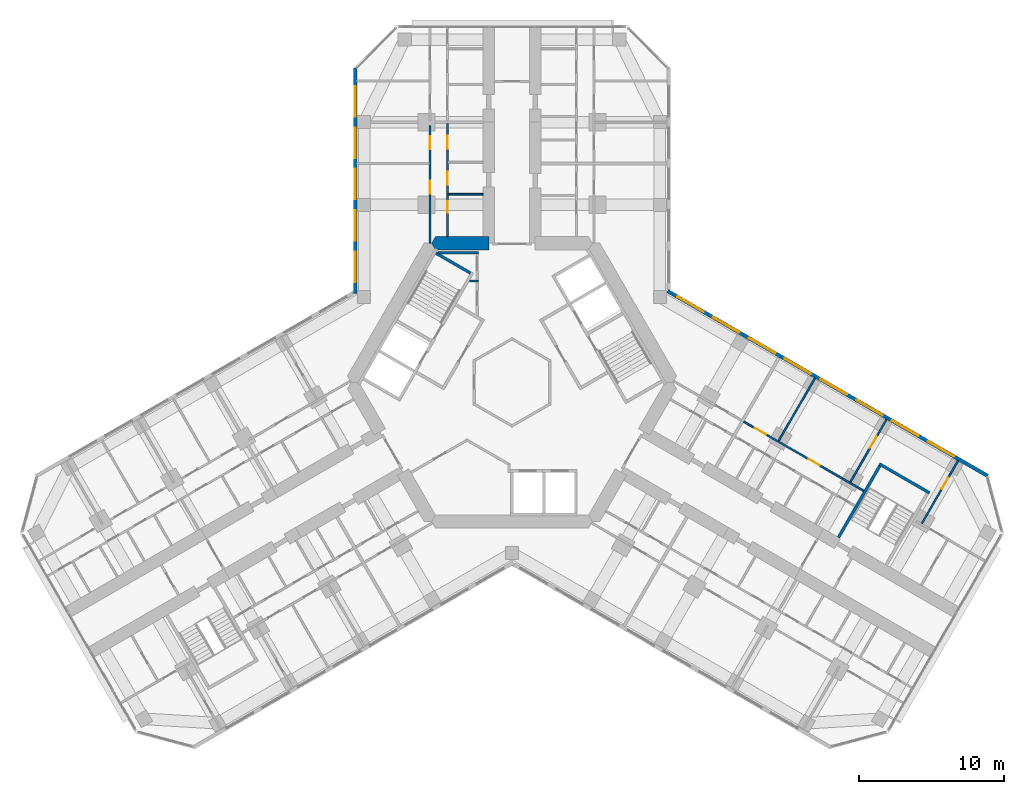
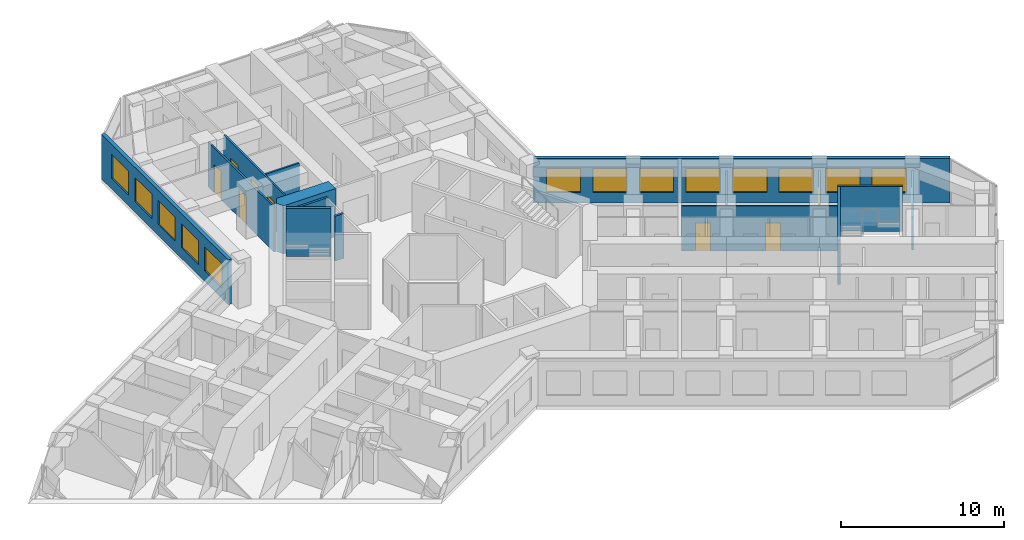
# One storey, part 16 of 19: 15 walls, 13 windows, 9 doors, 22 openings.
"""IFC4 building model written with IfcOpenShell, lengths in metres."""

from ifc_helpers import new_model, si_unit, direction, frame, frame_2d, origin, place, context, subcontext, project, spatial, polyline, rectangle, outline, extrude, material, layer, layer_set, type_object, element, fill, save


model = new_model("IFC4")

# Units and contexts
model_context = context("Model", 3, precision=1e-05, world=origin(), true_north=direction((0.0, 1.0)))
body_context = subcontext(model_context, "Body", "Model", "MODEL_VIEW")
ifc_project = project(units=[si_unit("LENGTHUNIT", "METRE"), si_unit("AREAUNIT", "SQUARE_METRE"), si_unit("VOLUMEUNIT", "CUBIC_METRE"), si_unit("PLANEANGLEUNIT", "RADIAN"), si_unit("MASSUNIT", "GRAM", prefix="KILO")], contexts=[model_context])

# Site, building, storey
site_placement = place(None, origin())
site = spatial("IfcSite", under=ifc_project, at=site_placement, CompositionType="ELEMENT")
building_placement = place(site_placement, origin())
building = spatial("IfcBuilding", under=site, at=building_placement, Name="Kosmar Iwan School Tower", CompositionType="ELEMENT")
storey_placement = place(building_placement, frame((0.0, 0.0, 141.800048828125)))
storey = spatial("IfcBuildingStorey", under=building, at=storey_placement, Name="L35", CompositionType="ELEMENT", Elevation=141.800048828125)

# Walls
ifc_material_1 = material(Name="Gypsum board on steel studs, fire-rated", Category="steel")
ifc_layer_1 = layer(ifc_material_1, 0.14990234375)
ifc_layer_set_1 = layer_set([ifc_layer_1], Name="Core room partition 150")
wall_type_1 = type_object("IfcWallType", Name="Core room partition 150", PredefinedType="PARTITIONING", material=ifc_layer_set_1)
wall_1_placement = place(storey_placement, frame((-2.324951171875, 6.985107421875, 0.0), z_axis=(0.0, 0.0, 1.0), x_axis=(-1.0, 0.0, 0.0)))
element("IfcWall", 1, at=wall_1_placement, inside=storey, type_object=wall_type_1, Name="Core room partition L35-CW2", PredefinedType="PARTITIONING", context=body_context, shape_type="SweptSolid", body=[
    extrude(rectangle(XDim=0.623779296875, YDim=0.14990234375, at=frame_2d((0.31201171875, 0.0))), origin(), (0.0, 0.0, 1.0), 3.349853515625),
])
wall_2_placement = place(storey_placement, frame((-5.089599609375, 8.93994140625, 0.0), z_axis=(0.0, 0.0, 1.0), x_axis=(1.0, 0.0, 0.0)))
element("IfcWall", 2, at=wall_2_placement, inside=storey, type_object=wall_type_1, Name="Core room partition L35-CW3", PredefinedType="PARTITIONING", context=body_context, shape_type="SweptSolid", body=[
    extrude(rectangle(XDim=2.7646484375, YDim=0.14990234375, at=frame_2d((1.38232421875, 0.0))), origin(), (0.0, 0.0, 1.0), 3.349853515625),
])
ifc_material_2 = material(Name="Concrete C50/60", Category="concrete")
ifc_layer_2 = layer(ifc_material_2, 0.89990234375)
ifc_layer_set_2 = layer_set([ifc_layer_2], Name="Core wall 900")
wall_type_2 = type_object("IfcWallType", Name="Core wall 900", PredefinedType="SHEAR", material=ifc_layer_set_2)
wall_3_placement = place(storey_placement, origin())
element("IfcWall", 3, at=wall_3_placement, inside=storey, type_object=wall_type_2, Name="Core wall F090b", PredefinedType="SHEAR", context=body_context, shape_type="SweptSolid", body=[
    extrude(outline(polyline([(-5.28271484375, 9.14990234375), (-1.60009765625, 9.14990234375), (-1.60009765625, 10.050048828125), (-5.28271484375, 10.050048828125), (-5.54248046875, 9.60009765625), (-5.28271484375, 9.14990234375)])), origin(), (0.0, 0.0, 1.0), 3.599853515625),
])

# Wall, openings, doors
ifc_material_3 = material(Name="Gypsum board on steel studs", Category="steel")
ifc_layer_3 = layer(ifc_material_3, 0.1201171875)
ifc_layer_set_3 = layer_set([ifc_layer_3], Name="Dwelling partition 120")
wall_type_3 = type_object("IfcWallType", Name="Dwelling partition 120", PredefinedType="PARTITIONING", material=ifc_layer_set_3)
wall_4_placement = place(storey_placement, frame((-4.449951171875, 10.050048828125, 0.0), z_axis=(0.0, 0.0, 1.0), x_axis=(0.0, 1.0, 0.0)))
wall_4 = element("IfcWall", 4, at=wall_4_placement, inside=storey, type_object=wall_type_3, Name="Partition L35-AL1-W1", PredefinedType="PARTITIONING", context=body_context, shape_type="SweptSolid", body=[
    extrude(rectangle(XDim=7.800048828125, YDim=0.1201171875, at=frame_2d((3.89990234375, 0.0))), origin(), (0.0, 0.0, 1.0), 3.349853515625),
])
opening_1_placement = place(wall_4_placement, frame((1.639892578125, 0.0, 0.0)))
opening_1 = element("IfcOpeningElement", 5, at=opening_1_placement, cuts=wall_4, Name="Opening D3", PredefinedType="OPENING", context=body_context, shape_type="SweptSolid", body=[
    extrude(rectangle(XDim=0.800048828125, YDim=2.10009765625, at=frame_2d((0.39990234375, 1.050048828125))), frame((0.0, 0.072021484375, 0.0), z_axis=(0.0, -1.0, 0.0), x_axis=(1.0, 0.0, 0.0)), (0.0, 0.0, 1.0), 0.14404296875),
])
opening_2_placement = place(wall_4_placement, frame((3.580078125, 0.0, 0.0)))
opening_2 = element("IfcOpeningElement", 6, at=opening_2_placement, cuts=wall_4, Name="Opening D2", PredefinedType="OPENING", context=body_context, shape_type="SweptSolid", body=[
    extrude(rectangle(XDim=0.89990234375, YDim=2.10009765625, at=frame_2d((0.449951171875, 1.050048828125))), frame((0.0, 0.072021484375, 0.0), z_axis=(0.0, -1.0, 0.0), x_axis=(1.0, 0.0, 0.0)), (0.0, 0.0, 1.0), 0.14404296875),
])
opening_3_placement = place(wall_4_placement, frame((6.06494140625, 0.0, 0.0)))
opening_3 = element("IfcOpeningElement", 7, at=opening_3_placement, cuts=wall_4, Name="Opening D2", PredefinedType="OPENING", context=body_context, shape_type="SweptSolid", body=[
    extrude(rectangle(XDim=0.89990234375, YDim=2.10009765625, at=frame_2d((0.449951171875, 1.050048828125))), frame((0.0, 0.072021484375, 0.0), z_axis=(0.0, -1.0, 0.0), x_axis=(1.0, 0.0, 0.0)), (0.0, 0.0, 1.0), 0.14404296875),
])
ifc_material_4 = material(Name="Timber door in timber frame", Category="wood")
door_type_1 = type_object("IfcDoorType", Name="Internal door 900x2100", OperationType="SINGLE_SWING_LEFT", PredefinedType="DOOR", material=ifc_material_4)
door_1_placement = place(opening_2_placement, origin())
door_1 = element("IfcDoor", 8, at=door_1_placement, inside=storey, type_object=door_type_1, Name="Entrance hall door L35-AL1-S2", OperationType="SINGLE_SWING_RIGHT", OverallHeight=2.10009765625, OverallWidth=0.89990234375, PredefinedType="DOOR", context=body_context, shape_type="SweptSolid", body=[
    extrude(rectangle(XDim=0.89990234375, YDim=2.10009765625, at=frame_2d((0.449951171875, 1.050048828125))), frame((0.0, 0.02490234375, 0.0), z_axis=(0.0, -1.0, 0.0), x_axis=(1.0, 0.0, 0.0)), (0.0, 0.0, 1.0), 0.050048828125),
])
fill(opening_2, door_1)
door_2_placement = place(opening_3_placement, origin())
door_2 = element("IfcDoor", 9, at=door_2_placement, inside=storey, type_object=door_type_1, Name="Pantry door L35-AL1-S3", OperationType="SINGLE_SWING_RIGHT", OverallHeight=2.10009765625, OverallWidth=0.89990234375, PredefinedType="DOOR", context=body_context, shape_type="SweptSolid", body=[
    extrude(rectangle(XDim=0.89990234375, YDim=2.10009765625, at=frame_2d((0.449951171875, 1.050048828125))), frame((0.0, 0.02490234375, 0.0), z_axis=(0.0, -1.0, 0.0), x_axis=(1.0, 0.0, 0.0)), (0.0, 0.0, 1.0), 0.050048828125),
])
fill(opening_3, door_2)
ifc_material_5 = material(Name="Timber door in timber frame", Category="wood")
door_type_2 = type_object("IfcDoorType", Name="Sanitary room door 800x2100", OperationType="SINGLE_SWING_LEFT", PredefinedType="DOOR", material=ifc_material_5)
door_3_placement = place(opening_1_placement, origin())
door_3 = element("IfcDoor", 10, at=door_3_placement, inside=storey, type_object=door_type_2, Name="Bathroom door L35-AL1-S1", OperationType="SINGLE_SWING_LEFT", OverallHeight=2.10009765625, OverallWidth=0.800048828125, PredefinedType="DOOR", context=body_context, shape_type="SweptSolid", body=[
    extrude(rectangle(XDim=0.800048828125, YDim=2.10009765625, at=frame_2d((0.39990234375, 1.050048828125))), frame((0.0, 0.02490234375, 0.0), z_axis=(0.0, -1.0, 0.0), x_axis=(1.0, 0.0, 0.0)), (0.0, 0.0, 1.0), 0.050048828125),
])
fill(opening_1, door_3)

wall_5_placement = place(storey_placement, frame((-5.64990234375, 9.60009765625, 0.0), z_axis=(0.0, 0.0, 1.0), x_axis=(0.0, 1.0, 0.0)))
wall_5 = element("IfcWall", 11, at=wall_5_placement, inside=storey, type_object=wall_type_3, Name="Partition L35-AL1-W2", PredefinedType="PARTITIONING", context=body_context, shape_type="SweptSolid", body=[
    extrude(rectangle(XDim=8.099853515625, YDim=0.1201171875, at=frame_2d((4.0498046875, 0.0))), origin(), (0.0, 0.0, 1.0), 3.349853515625),
])
opening_4_placement = place(wall_5_placement, frame((3.39990234375, 0.0, 0.0)))
opening_4 = element("IfcOpeningElement", 12, at=opening_4_placement, cuts=wall_5, Name="Opening D2", PredefinedType="OPENING", context=body_context, shape_type="SweptSolid", body=[
    extrude(rectangle(XDim=0.89990234375, YDim=2.10009765625, at=frame_2d((0.449951171875, 1.050048828125))), frame((0.0, 0.072021484375, 0.0), z_axis=(0.0, -1.0, 0.0), x_axis=(1.0, 0.0, 0.0)), (0.0, 0.0, 1.0), 0.14404296875),
])
opening_5_placement = place(wall_5_placement, frame((6.47509765625, 0.0, 0.0)))
opening_5 = element("IfcOpeningElement", 13, at=opening_5_placement, cuts=wall_5, Name="Opening D2", PredefinedType="OPENING", context=body_context, shape_type="SweptSolid", body=[
    extrude(rectangle(XDim=0.89990234375, YDim=2.10009765625, at=frame_2d((0.449951171875, 1.050048828125))), frame((0.0, 0.072021484375, 0.0), z_axis=(0.0, -1.0, 0.0), x_axis=(1.0, 0.0, 0.0)), (0.0, 0.0, 1.0), 0.14404296875),
])
door_4_placement = place(opening_4_placement, origin())
door_4 = element("IfcDoor", 14, at=door_4_placement, inside=storey, type_object=door_type_1, Name="Family room and kitchen door L35-AL1-F1", OperationType="SINGLE_SWING_RIGHT", OverallHeight=2.10009765625, OverallWidth=0.89990234375, PredefinedType="DOOR", context=body_context, shape_type="SweptSolid", body=[
    extrude(rectangle(XDim=0.89990234375, YDim=2.10009765625, at=frame_2d((0.449951171875, 1.050048828125))), frame((0.0, 0.02490234375, 0.0), z_axis=(0.0, -1.0, 0.0), x_axis=(1.0, 0.0, 0.0)), (0.0, 0.0, 1.0), 0.050048828125),
])
fill(opening_4, door_4)
door_5_placement = place(opening_5_placement, origin())
door_5 = element("IfcDoor", 15, at=door_5_placement, inside=storey, type_object=door_type_1, Name="Bedroom 1 door L35-AL1-F2", OperationType="SINGLE_SWING_RIGHT", OverallHeight=2.10009765625, OverallWidth=0.89990234375, PredefinedType="DOOR", context=body_context, shape_type="SweptSolid", body=[
    extrude(rectangle(XDim=0.89990234375, YDim=2.10009765625, at=frame_2d((0.449951171875, 1.050048828125))), frame((0.0, 0.02490234375, 0.0), z_axis=(0.0, -1.0, 0.0), x_axis=(1.0, 0.0, 0.0)), (0.0, 0.0, 1.0), 0.050048828125),
])
fill(opening_5, door_5)

# Wall
wall_6_placement = place(storey_placement, frame((-2.0, 12.97998046875, 0.0), z_axis=(0.0, 0.0, 1.0), x_axis=(-1.0, 0.0, 0.0)))
element("IfcWall", 16, at=wall_6_placement, inside=storey, type_object=wall_type_3, Name="Partition L35-AL1-Y1", PredefinedType="PARTITIONING", context=body_context, shape_type="SweptSolid", body=[
    extrude(rectangle(XDim=2.389892578125, YDim=0.1201171875, at=frame_2d((1.19482421875, 0.0))), origin(), (0.0, 0.0, 1.0), 3.349853515625),
])

# Wall, openings, doors
wall_7_placement = place(storey_placement, frame((15.988525390625, -2.70703125, 0.0), z_axis=(0.0, 0.0, 1.0), x_axis=(0.866028920859, -0.499993908199, 0.0)))
wall_7 = element("IfcWall", 17, at=wall_7_placement, inside=storey, type_object=wall_type_3, Name="Partition L35-CL2-W2", PredefinedType="PARTITIONING", context=body_context, shape_type="SweptSolid", body=[
    extrude(rectangle(XDim=9.5498046875, YDim=0.1201171875, at=frame_2d((4.77490234375, 0.0))), origin(), (0.0, 0.0, 1.0), 3.349853515625),
])
opening_6_placement = place(wall_7_placement, frame((0.875, 0.0, 0.0)))
opening_6 = element("IfcOpeningElement", 18, at=opening_6_placement, cuts=wall_7, Name="Opening D2", PredefinedType="OPENING", context=body_context, shape_type="SweptSolid", body=[
    extrude(rectangle(XDim=0.89990234375, YDim=2.10009765625, at=frame_2d((0.449951171875, 1.050048828125))), frame((0.0, 0.072021484375, 0.0), z_axis=(0.0, -1.0, 0.0), x_axis=(1.0, 0.0, 0.0)), (0.0, 0.0, 1.0), 0.14404296875),
])
opening_7_placement = place(wall_7_placement, frame((5.14990234375, 0.0, 0.0)))
opening_7 = element("IfcOpeningElement", 19, at=opening_7_placement, cuts=wall_7, Name="Opening D2", PredefinedType="OPENING", context=body_context, shape_type="SweptSolid", body=[
    extrude(rectangle(XDim=0.89990234375, YDim=2.10009765625, at=frame_2d((0.449951171875, 1.050048828125))), frame((0.0, 0.072021484375, 0.0), z_axis=(0.0, -1.0, 0.0), x_axis=(1.0, 0.0, 0.0)), (0.0, 0.0, 1.0), 0.14404296875),
])
door_6_placement = place(opening_6_placement, origin())
door_6 = element("IfcDoor", 20, at=door_6_placement, inside=storey, type_object=door_type_1, Name="Bedroom 1 door L35-CL2-F1", OperationType="SINGLE_SWING_LEFT", OverallHeight=2.10009765625, OverallWidth=0.89990234375, PredefinedType="DOOR", context=body_context, shape_type="SweptSolid", body=[
    extrude(rectangle(XDim=0.89990234375, YDim=2.10009765625, at=frame_2d((0.449951171875, 1.050048828125))), frame((0.0, 0.02490234375, 0.0), z_axis=(0.0, -1.0, 0.0), x_axis=(1.0, 0.0, 0.0)), (0.0, 0.0, 1.0), 0.050048828125),
])
fill(opening_6, door_6)
door_7_placement = place(opening_7_placement, origin())
door_7 = element("IfcDoor", 21, at=door_7_placement, inside=storey, type_object=door_type_1, Name="Family room and kitchen door L35-CL2-F2", OperationType="SINGLE_SWING_RIGHT", OverallHeight=2.10009765625, OverallWidth=0.89990234375, PredefinedType="DOOR", context=body_context, shape_type="SweptSolid", body=[
    extrude(rectangle(XDim=0.89990234375, YDim=2.10009765625, at=frame_2d((0.449951171875, 1.050048828125))), frame((0.0, 0.02490234375, 0.0), z_axis=(0.0, -1.0, 0.0), x_axis=(1.0, 0.0, 0.0)), (0.0, 0.0, 1.0), 0.050048828125),
])
fill(opening_7, door_7)

# Wall
wall_8_placement = place(storey_placement, frame((18.400146484375, -4.030029296875, 0.0), z_axis=(0.0, 0.0, 1.0), x_axis=(0.500011847778, 0.866018563358, 0.0)))
element("IfcWall", 22, at=wall_8_placement, inside=storey, type_object=wall_type_3, Name="Partition L35-CL2-X1", PredefinedType="PARTITIONING", context=body_context, shape_type="SweptSolid", body=[
    extrude(rectangle(XDim=4.990234375, YDim=0.1201171875, at=frame_2d((2.4951171875, 0.0))), origin(), (0.0, 0.0, 1.0), 2.449951171875),
])

# Wall, opening, door
wall_9_placement = place(storey_placement, frame((23.33642578125, -6.8798828125, 0.0), z_axis=(0.0, 0.0, 1.0), x_axis=(0.500033033937, 0.866006330792, 0.0)))
wall_9 = element("IfcWall", 23, at=wall_9_placement, inside=storey, type_object=wall_type_3, Name="Partition L35-CL2-TB", PredefinedType="PARTITIONING", context=body_context, shape_type="SweptSolid", body=[
    extrude(rectangle(XDim=4.989990234375, YDim=0.1201171875, at=frame_2d((2.4951171875, 0.0))), origin(), (0.0, 0.0, 1.0), 2.449951171875),
])
opening_8_placement = place(wall_9_placement, frame((2.739990234375, 0.0, 0.0)))
opening_8 = element("IfcOpeningElement", 24, at=opening_8_placement, cuts=wall_9, Name="Opening D2", PredefinedType="OPENING", context=body_context, shape_type="SweptSolid", body=[
    extrude(rectangle(XDim=0.89990234375, YDim=2.10009765625, at=frame_2d((0.449951171875, 1.050048828125))), frame((0.0, 0.072021484375, 0.0), z_axis=(0.0, -1.0, 0.0), x_axis=(1.0, 0.0, 0.0)), (0.0, 0.0, 1.0), 0.14404296875),
])
door_8_placement = place(opening_8_placement, origin())
door_8 = element("IfcDoor", 25, at=door_8_placement, inside=storey, type_object=door_type_1, Name="Study door L35-CL2-F2", OperationType="SINGLE_SWING_RIGHT", OverallHeight=2.10009765625, OverallWidth=0.89990234375, PredefinedType="DOOR", context=body_context, shape_type="SweptSolid", body=[
    extrude(rectangle(XDim=0.89990234375, YDim=2.10009765625, at=frame_2d((0.449951171875, 1.050048828125))), frame((0.0, 0.02490234375, 0.0), z_axis=(0.0, -1.0, 0.0), x_axis=(1.0, 0.0, 0.0)), (0.0, 0.0, 1.0), 0.050048828125),
])
fill(opening_8, door_8)

wall_10_placement = place(storey_placement, frame((28.27294921875, -9.72998046875, 0.0), z_axis=(0.0, 0.0, 1.0), x_axis=(0.499975153383, 0.86603974851, 0.0)))
wall_10 = element("IfcWall", 26, at=wall_10_placement, inside=storey, type_object=wall_type_3, Name="Partition L35-CL2-TX", PredefinedType="PARTITIONING", context=body_context, shape_type="SweptSolid", body=[
    extrude(rectangle(XDim=4.989990234375, YDim=0.1201171875, at=frame_2d((2.4951171875, 0.0))), origin(), (0.0, 0.0, 1.0), 2.449951171875),
])
opening_9_placement = place(wall_10_placement, frame((2.739990234375, 0.0, 0.0)))
opening_9 = element("IfcOpeningElement", 27, at=opening_9_placement, cuts=wall_10, Name="Opening D2", PredefinedType="OPENING", context=body_context, shape_type="SweptSolid", body=[
    extrude(rectangle(XDim=0.89990234375, YDim=2.10009765625, at=frame_2d((0.449951171875, 1.050048828125))), frame((0.0, 0.072021484375, 0.0), z_axis=(0.0, -1.0, 0.0), x_axis=(1.0, 0.0, 0.0)), (0.0, 0.0, 1.0), 0.14404296875),
])
door_9_placement = place(opening_9_placement, origin())
door_9 = element("IfcDoor", 28, at=door_9_placement, inside=storey, type_object=door_type_1, Name="Study door L35-CL2-T1", OperationType="SINGLE_SWING_RIGHT", OverallHeight=2.10009765625, OverallWidth=0.89990234375, PredefinedType="DOOR", context=body_context, shape_type="SweptSolid", body=[
    extrude(rectangle(XDim=0.89990234375, YDim=2.10009765625, at=frame_2d((0.449951171875, 1.050048828125))), frame((0.0, 0.02490234375, 0.0), z_axis=(0.0, -1.0, 0.0), x_axis=(1.0, 0.0, 0.0)), (0.0, 0.0, 1.0), 0.050048828125),
])
fill(opening_9, door_9)

# Walls
ifc_material_6 = material(Name="Concrete C35/45", Category="concrete")
ifc_layer_4 = layer(ifc_material_6, 0.199951171875)
ifc_layer_set_4 = layer_set([ifc_layer_4], Name="Escape stair wall 200")
wall_type_4 = type_object("IfcWallType", Name="Escape stair wall 200", PredefinedType="SHEAR", material=ifc_layer_set_4)
wall_11_placement = place(storey_placement, frame((22.520751953125, -10.69287109375, 0.0), z_axis=(0.0, 0.0, 1.0), x_axis=(0.500006628179, 0.86602157697, 0.0)))
element("IfcWall", 29, at=wall_11_placement, inside=storey, type_object=wall_type_4, Name="Stair WS3 wall", PredefinedType="SHEAR", context=body_context, shape_type="SweptSolid", body=[
    extrude(rectangle(XDim=5.89990234375, YDim=0.199951171875, at=frame_2d((2.949951171875, 0.0))), origin(), (0.0, 0.0, 1.0), 3.329833984375),
])
wall_12_placement = place(storey_placement, frame((25.334228515625, -5.6201171875, 0.0), z_axis=(0.0, 0.0, 1.0), x_axis=(0.866026010844, -0.49999894854, 0.0)))
element("IfcWall", 30, at=wall_12_placement, inside=storey, type_object=wall_type_4, Name="Stair WS3 wall", PredefinedType="SHEAR", context=body_context, shape_type="SweptSolid", body=[
    extrude(rectangle(XDim=4.0, YDim=0.199951171875, at=frame_2d((2.0, 0.0))), origin(), (0.0, 0.0, 1.0), 3.329833984375),
])

# Wall, openings, windows
ifc_material_7 = material(Name="Black aluminium rainscreen on insulated framing", Category="aluminium")
ifc_layer_5 = layer(ifc_material_7, 0.25)
ifc_layer_set_5 = layer_set([ifc_layer_5], Name="External wall rainscreen 250")
wall_type_5 = type_object("IfcWallType", Name="External wall rainscreen 250", PredefinedType="SOLIDWALL", material=ifc_layer_set_5)
wall_13_placement = place(storey_placement, frame((10.73681640625, 6.30078125, 0.0), z_axis=(0.0, 0.0, 1.0), x_axis=(0.866026390279, -0.499998291337, 0.0)))
wall_13 = element("IfcWall", 31, at=wall_13_placement, inside=storey, type_object=wall_type_5, Name="External wall CL L35", PredefinedType="SOLIDWALL", context=body_context, shape_type="SweptSolid", body=[
    extrude(rectangle(XDim=25.4873046875, YDim=0.25, at=frame_2d((12.74365234375, 0.0))), origin(), (0.0, 0.0, 1.0), 3.349853515625),
])
opening_10_placement = place(wall_13_placement, frame((0.777099609375, 0.0, 0.800048828125)))
opening_10 = element("IfcOpeningElement", 32, at=opening_10_placement, cuts=wall_13, Name="Opening W4", PredefinedType="OPENING", context=body_context, shape_type="SweptSolid", body=[
    extrude(rectangle(XDim=2.10009765625, YDim=1.800048828125, at=frame_2d((1.050048828125, 0.89990234375))), frame((0.0, 0.136962890625, 0.0), z_axis=(0.0, -1.0, 0.0), x_axis=(1.0, 0.0, 0.0)), (0.0, 0.0, 1.0), 0.27392578125),
])
opening_11_placement = place(wall_13_placement, frame((3.626953125, 0.0, 0.800048828125)))
opening_11 = element("IfcOpeningElement", 33, at=opening_11_placement, cuts=wall_13, Name="Opening W4", PredefinedType="OPENING", context=body_context, shape_type="SweptSolid", body=[
    extrude(rectangle(XDim=2.10009765625, YDim=1.800048828125, at=frame_2d((1.050048828125, 0.89990234375))), frame((0.0, 0.136962890625, 0.0), z_axis=(0.0, -1.0, 0.0), x_axis=(1.0, 0.0, 0.0)), (0.0, 0.0, 1.0), 0.27392578125),
])
opening_12_placement = place(wall_13_placement, frame((6.47705078125, 0.0, 0.800048828125)))
opening_12 = element("IfcOpeningElement", 34, at=opening_12_placement, cuts=wall_13, Name="Opening W4", PredefinedType="OPENING", context=body_context, shape_type="SweptSolid", body=[
    extrude(rectangle(XDim=2.10009765625, YDim=1.800048828125, at=frame_2d((1.050048828125, 0.89990234375))), frame((0.0, 0.136962890625, 0.0), z_axis=(0.0, -1.0, 0.0), x_axis=(1.0, 0.0, 0.0)), (0.0, 0.0, 1.0), 0.27392578125),
])
opening_13_placement = place(wall_13_placement, frame((9.326904296875, 0.0, 0.800048828125)))
opening_13 = element("IfcOpeningElement", 35, at=opening_13_placement, cuts=wall_13, Name="Opening W4", PredefinedType="OPENING", context=body_context, shape_type="SweptSolid", body=[
    extrude(rectangle(XDim=2.10009765625, YDim=1.800048828125, at=frame_2d((1.050048828125, 0.89990234375))), frame((0.0, 0.136962890625, 0.0), z_axis=(0.0, -1.0, 0.0), x_axis=(1.0, 0.0, 0.0)), (0.0, 0.0, 1.0), 0.27392578125),
])
opening_14_placement = place(wall_13_placement, frame((12.177001953125, 0.0, 0.800048828125)))
opening_14 = element("IfcOpeningElement", 36, at=opening_14_placement, cuts=wall_13, Name="Opening W4", PredefinedType="OPENING", context=body_context, shape_type="SweptSolid", body=[
    extrude(rectangle(XDim=2.10009765625, YDim=1.800048828125, at=frame_2d((1.050048828125, 0.89990234375))), frame((0.0, 0.136962890625, 0.0), z_axis=(0.0, -1.0, 0.0), x_axis=(1.0, 0.0, 0.0)), (0.0, 0.0, 1.0), 0.27392578125),
])
opening_15_placement = place(wall_13_placement, frame((15.027099609375, 0.0, 0.800048828125)))
opening_15 = element("IfcOpeningElement", 37, at=opening_15_placement, cuts=wall_13, Name="Opening W4", PredefinedType="OPENING", context=body_context, shape_type="SweptSolid", body=[
    extrude(rectangle(XDim=2.10009765625, YDim=1.800048828125, at=frame_2d((1.050048828125, 0.89990234375))), frame((0.0, 0.136962890625, 0.0), z_axis=(0.0, -1.0, 0.0), x_axis=(1.0, 0.0, 0.0)), (0.0, 0.0, 1.0), 0.27392578125),
])
opening_16_placement = place(wall_13_placement, frame((17.876953125, 0.0, 0.800048828125)))
opening_16 = element("IfcOpeningElement", 38, at=opening_16_placement, cuts=wall_13, Name="Opening W4", PredefinedType="OPENING", context=body_context, shape_type="SweptSolid", body=[
    extrude(rectangle(XDim=2.10009765625, YDim=1.800048828125, at=frame_2d((1.050048828125, 0.89990234375))), frame((0.0, 0.136962890625, 0.0), z_axis=(0.0, -1.0, 0.0), x_axis=(1.0, 0.0, 0.0)), (0.0, 0.0, 1.0), 0.27392578125),
])
opening_17_placement = place(wall_13_placement, frame((20.72705078125, 0.0, 0.800048828125)))
opening_17 = element("IfcOpeningElement", 39, at=opening_17_placement, cuts=wall_13, Name="Opening W4", PredefinedType="OPENING", context=body_context, shape_type="SweptSolid", body=[
    extrude(rectangle(XDim=2.10009765625, YDim=1.800048828125, at=frame_2d((1.050048828125, 0.89990234375))), frame((0.0, 0.136962890625, 0.0), z_axis=(0.0, -1.0, 0.0), x_axis=(1.0, 0.0, 0.0)), (0.0, 0.0, 1.0), 0.27392578125),
])
ifc_material_8 = material(Name="Black aluminium frame with dark triple glazing", Category="aluminium")
window_type = type_object("IfcWindowType", Name="Window 2100x1800", PartitioningType="SINGLE_PANEL", PredefinedType="WINDOW", material=ifc_material_8)
window_1_placement = place(opening_10_placement, origin())
window_1 = element("IfcWindow", 40, at=window_1_placement, inside=storey, type_object=window_type, Name="Window CL L35 -1", OverallHeight=1.800048828125, OverallWidth=2.10009765625, PartitioningType="SINGLE_PANEL", PredefinedType="WINDOW", context=body_context, shape_type="SweptSolid", body=[
    extrude(rectangle(XDim=2.10009765625, YDim=1.800048828125, at=frame_2d((1.050048828125, 0.89990234375))), frame((0.0, 0.030029296875, 0.0), z_axis=(0.0, -1.0, 0.0), x_axis=(1.0, 0.0, 0.0)), (0.0, 0.0, 1.0), 0.06005859375),
])
fill(opening_10, window_1)
window_2_placement = place(opening_11_placement, origin())
window_2 = element("IfcWindow", 41, at=window_2_placement, inside=storey, type_object=window_type, Name="Window CL L35 0", OverallHeight=1.800048828125, OverallWidth=2.10009765625, PartitioningType="SINGLE_PANEL", PredefinedType="WINDOW", context=body_context, shape_type="SweptSolid", body=[
    extrude(rectangle(XDim=2.10009765625, YDim=1.800048828125, at=frame_2d((1.050048828125, 0.89990234375))), frame((0.0, 0.030029296875, 0.0), z_axis=(0.0, -1.0, 0.0), x_axis=(1.0, 0.0, 0.0)), (0.0, 0.0, 1.0), 0.06005859375),
])
fill(opening_11, window_2)
window_3_placement = place(opening_12_placement, origin())
window_3 = element("IfcWindow", 42, at=window_3_placement, inside=storey, type_object=window_type, Name="Window CL L35 1", OverallHeight=1.800048828125, OverallWidth=2.10009765625, PartitioningType="SINGLE_PANEL", PredefinedType="WINDOW", context=body_context, shape_type="SweptSolid", body=[
    extrude(rectangle(XDim=2.10009765625, YDim=1.800048828125, at=frame_2d((1.050048828125, 0.89990234375))), frame((0.0, 0.030029296875, 0.0), z_axis=(0.0, -1.0, 0.0), x_axis=(1.0, 0.0, 0.0)), (0.0, 0.0, 1.0), 0.06005859375),
])
fill(opening_12, window_3)
window_4_placement = place(opening_13_placement, origin())
window_4 = element("IfcWindow", 43, at=window_4_placement, inside=storey, type_object=window_type, Name="Window CL L35 2", OverallHeight=1.800048828125, OverallWidth=2.10009765625, PartitioningType="SINGLE_PANEL", PredefinedType="WINDOW", context=body_context, shape_type="SweptSolid", body=[
    extrude(rectangle(XDim=2.10009765625, YDim=1.800048828125, at=frame_2d((1.050048828125, 0.89990234375))), frame((0.0, 0.030029296875, 0.0), z_axis=(0.0, -1.0, 0.0), x_axis=(1.0, 0.0, 0.0)), (0.0, 0.0, 1.0), 0.06005859375),
])
fill(opening_13, window_4)
window_5_placement = place(opening_14_placement, origin())
window_5 = element("IfcWindow", 44, at=window_5_placement, inside=storey, type_object=window_type, Name="Window CL L35 3", OverallHeight=1.800048828125, OverallWidth=2.10009765625, PartitioningType="SINGLE_PANEL", PredefinedType="WINDOW", context=body_context, shape_type="SweptSolid", body=[
    extrude(rectangle(XDim=2.10009765625, YDim=1.800048828125, at=frame_2d((1.050048828125, 0.89990234375))), frame((0.0, 0.030029296875, 0.0), z_axis=(0.0, -1.0, 0.0), x_axis=(1.0, 0.0, 0.0)), (0.0, 0.0, 1.0), 0.06005859375),
])
fill(opening_14, window_5)
window_6_placement = place(opening_15_placement, origin())
window_6 = element("IfcWindow", 45, at=window_6_placement, inside=storey, type_object=window_type, Name="Window CL L35 4", OverallHeight=1.800048828125, OverallWidth=2.10009765625, PartitioningType="SINGLE_PANEL", PredefinedType="WINDOW", context=body_context, shape_type="SweptSolid", body=[
    extrude(rectangle(XDim=2.10009765625, YDim=1.800048828125, at=frame_2d((1.050048828125, 0.89990234375))), frame((0.0, 0.030029296875, 0.0), z_axis=(0.0, -1.0, 0.0), x_axis=(1.0, 0.0, 0.0)), (0.0, 0.0, 1.0), 0.06005859375),
])
fill(opening_15, window_6)
window_7_placement = place(opening_16_placement, origin())
window_7 = element("IfcWindow", 46, at=window_7_placement, inside=storey, type_object=window_type, Name="Window CL L35 5", OverallHeight=1.800048828125, OverallWidth=2.10009765625, PartitioningType="SINGLE_PANEL", PredefinedType="WINDOW", context=body_context, shape_type="SweptSolid", body=[
    extrude(rectangle(XDim=2.10009765625, YDim=1.800048828125, at=frame_2d((1.050048828125, 0.89990234375))), frame((0.0, 0.030029296875, 0.0), z_axis=(0.0, -1.0, 0.0), x_axis=(1.0, 0.0, 0.0)), (0.0, 0.0, 1.0), 0.06005859375),
])
fill(opening_16, window_7)
window_8_placement = place(opening_17_placement, origin())
window_8 = element("IfcWindow", 47, at=window_8_placement, inside=storey, type_object=window_type, Name="Window CL L35 6", OverallHeight=1.800048828125, OverallWidth=2.10009765625, PartitioningType="SINGLE_PANEL", PredefinedType="WINDOW", context=body_context, shape_type="SweptSolid", body=[
    extrude(rectangle(XDim=2.10009765625, YDim=1.800048828125, at=frame_2d((1.050048828125, 0.89990234375))), frame((0.0, 0.030029296875, 0.0), z_axis=(0.0, -1.0, 0.0), x_axis=(1.0, 0.0, 0.0)), (0.0, 0.0, 1.0), 0.06005859375),
])
fill(opening_17, window_8)

wall_14_placement = place(storey_placement, frame((-10.824951171875, 6.14794921875, 0.0), z_axis=(0.0, 0.0, 1.0), x_axis=(0.0, 1.0, 0.0)))
wall_14 = element("IfcWall", 48, at=wall_14_placement, inside=storey, type_object=wall_type_5, Name="External wall AL L35", PredefinedType="SOLIDWALL", context=body_context, shape_type="SweptSolid", body=[
    extrude(rectangle(XDim=15.537353515625, YDim=0.25, at=frame_2d((7.7685546875, 0.0))), origin(), (0.0, 0.0, 1.0), 3.349853515625),
])
opening_18_placement = place(wall_14_placement, frame((0.777099609375, 0.0, 0.800048828125)))
opening_18 = element("IfcOpeningElement", 49, at=opening_18_placement, cuts=wall_14, Name="Opening W4", PredefinedType="OPENING", context=body_context, shape_type="SweptSolid", body=[
    extrude(rectangle(XDim=2.10009765625, YDim=1.800048828125, at=frame_2d((1.050048828125, 0.89990234375))), frame((0.0, 0.136962890625, 0.0), z_axis=(0.0, -1.0, 0.0), x_axis=(1.0, 0.0, 0.0)), (0.0, 0.0, 1.0), 0.27392578125),
])
opening_19_placement = place(wall_14_placement, frame((3.626953125, 0.0, 0.800048828125)))
opening_19 = element("IfcOpeningElement", 50, at=opening_19_placement, cuts=wall_14, Name="Opening W4", PredefinedType="OPENING", context=body_context, shape_type="SweptSolid", body=[
    extrude(rectangle(XDim=2.10009765625, YDim=1.800048828125, at=frame_2d((1.050048828125, 0.89990234375))), frame((0.0, 0.136962890625, 0.0), z_axis=(0.0, -1.0, 0.0), x_axis=(1.0, 0.0, 0.0)), (0.0, 0.0, 1.0), 0.27392578125),
])
opening_20_placement = place(wall_14_placement, frame((6.47705078125, 0.0, 0.800048828125)))
opening_20 = element("IfcOpeningElement", 51, at=opening_20_placement, cuts=wall_14, Name="Opening W4", PredefinedType="OPENING", context=body_context, shape_type="SweptSolid", body=[
    extrude(rectangle(XDim=2.10009765625, YDim=1.800048828125, at=frame_2d((1.050048828125, 0.89990234375))), frame((0.0, 0.136962890625, 0.0), z_axis=(0.0, -1.0, 0.0), x_axis=(1.0, 0.0, 0.0)), (0.0, 0.0, 1.0), 0.27392578125),
])
opening_21_placement = place(wall_14_placement, frame((9.326904296875, 0.0, 0.800048828125)))
opening_21 = element("IfcOpeningElement", 52, at=opening_21_placement, cuts=wall_14, Name="Opening W4", PredefinedType="OPENING", context=body_context, shape_type="SweptSolid", body=[
    extrude(rectangle(XDim=2.10009765625, YDim=1.800048828125, at=frame_2d((1.050048828125, 0.89990234375))), frame((0.0, 0.136962890625, 0.0), z_axis=(0.0, -1.0, 0.0), x_axis=(1.0, 0.0, 0.0)), (0.0, 0.0, 1.0), 0.27392578125),
])
opening_22_placement = place(wall_14_placement, frame((12.177001953125, 0.0, 0.800048828125)))
opening_22 = element("IfcOpeningElement", 53, at=opening_22_placement, cuts=wall_14, Name="Opening W4", PredefinedType="OPENING", context=body_context, shape_type="SweptSolid", body=[
    extrude(rectangle(XDim=2.10009765625, YDim=1.800048828125, at=frame_2d((1.050048828125, 0.89990234375))), frame((0.0, 0.136962890625, 0.0), z_axis=(0.0, -1.0, 0.0), x_axis=(1.0, 0.0, 0.0)), (0.0, 0.0, 1.0), 0.27392578125),
])
window_9_placement = place(opening_18_placement, origin())
window_9 = element("IfcWindow", 54, at=window_9_placement, inside=storey, type_object=window_type, Name="Window AL L35 -1", OverallHeight=1.800048828125, OverallWidth=2.10009765625, PartitioningType="SINGLE_PANEL", PredefinedType="WINDOW", context=body_context, shape_type="SweptSolid", body=[
    extrude(rectangle(XDim=2.10009765625, YDim=1.800048828125, at=frame_2d((1.050048828125, 0.89990234375))), frame((0.0, 0.030029296875, 0.0), z_axis=(0.0, -1.0, 0.0), x_axis=(1.0, 0.0, 0.0)), (0.0, 0.0, 1.0), 0.06005859375),
])
fill(opening_18, window_9)
window_10_placement = place(opening_19_placement, origin())
window_10 = element("IfcWindow", 55, at=window_10_placement, inside=storey, type_object=window_type, Name="Window AL L35 0", OverallHeight=1.800048828125, OverallWidth=2.10009765625, PartitioningType="SINGLE_PANEL", PredefinedType="WINDOW", context=body_context, shape_type="SweptSolid", body=[
    extrude(rectangle(XDim=2.10009765625, YDim=1.800048828125, at=frame_2d((1.050048828125, 0.89990234375))), frame((0.0, 0.030029296875, 0.0), z_axis=(0.0, -1.0, 0.0), x_axis=(1.0, 0.0, 0.0)), (0.0, 0.0, 1.0), 0.06005859375),
])
fill(opening_19, window_10)
window_11_placement = place(opening_20_placement, origin())
window_11 = element("IfcWindow", 56, at=window_11_placement, inside=storey, type_object=window_type, Name="Window AL L35 1", OverallHeight=1.800048828125, OverallWidth=2.10009765625, PartitioningType="SINGLE_PANEL", PredefinedType="WINDOW", context=body_context, shape_type="SweptSolid", body=[
    extrude(rectangle(XDim=2.10009765625, YDim=1.800048828125, at=frame_2d((1.050048828125, 0.89990234375))), frame((0.0, 0.030029296875, 0.0), z_axis=(0.0, -1.0, 0.0), x_axis=(1.0, 0.0, 0.0)), (0.0, 0.0, 1.0), 0.06005859375),
])
fill(opening_20, window_11)
window_12_placement = place(opening_21_placement, origin())
window_12 = element("IfcWindow", 57, at=window_12_placement, inside=storey, type_object=window_type, Name="Window AL L35 2", OverallHeight=1.800048828125, OverallWidth=2.10009765625, PartitioningType="SINGLE_PANEL", PredefinedType="WINDOW", context=body_context, shape_type="SweptSolid", body=[
    extrude(rectangle(XDim=2.10009765625, YDim=1.800048828125, at=frame_2d((1.050048828125, 0.89990234375))), frame((0.0, 0.030029296875, 0.0), z_axis=(0.0, -1.0, 0.0), x_axis=(1.0, 0.0, 0.0)), (0.0, 0.0, 1.0), 0.06005859375),
])
fill(opening_21, window_12)
window_13_placement = place(opening_22_placement, origin())
window_13 = element("IfcWindow", 58, at=window_13_placement, inside=storey, type_object=window_type, Name="Window AL L35 3", OverallHeight=1.800048828125, OverallWidth=2.10009765625, PartitioningType="SINGLE_PANEL", PredefinedType="WINDOW", context=body_context, shape_type="SweptSolid", body=[
    extrude(rectangle(XDim=2.10009765625, YDim=1.800048828125, at=frame_2d((1.050048828125, 0.89990234375))), frame((0.0, 0.030029296875, 0.0), z_axis=(0.0, -1.0, 0.0), x_axis=(1.0, 0.0, 0.0)), (0.0, 0.0, 1.0), 0.06005859375),
])
fill(opening_22, window_13)

# Wall
ifc_material_9 = material(Name="Concrete C50/60", Category="concrete")
ifc_layer_6 = layer(ifc_material_9, 0.199951171875)
ifc_layer_set_6 = layer_set([ifc_layer_6], Name="Stair enclosure wall 200")
wall_type_6 = type_object("IfcWallType", Name="Stair enclosure wall 200", PredefinedType="SHEAR", material=ifc_layer_set_6)
wall_15_placement = place(storey_placement, frame((-2.862548828125, 7.541748046875, 0.0), z_axis=(0.0, 0.0, 1.0), x_axis=(-0.866027397988, 0.499996545922, 0.0)))
element("IfcWall", 59, at=wall_15_placement, inside=storey, type_object=wall_type_6, Name="Stair ST2 wall", PredefinedType="SHEAR", context=body_context, shape_type="SweptSolid", body=[
    extrude(rectangle(XDim=2.75, YDim=0.199951171875, at=frame_2d((1.375, 0.0))), origin(), (0.0, 0.0, 1.0), 3.599853515625),
])

save(model, "model.ifc")
